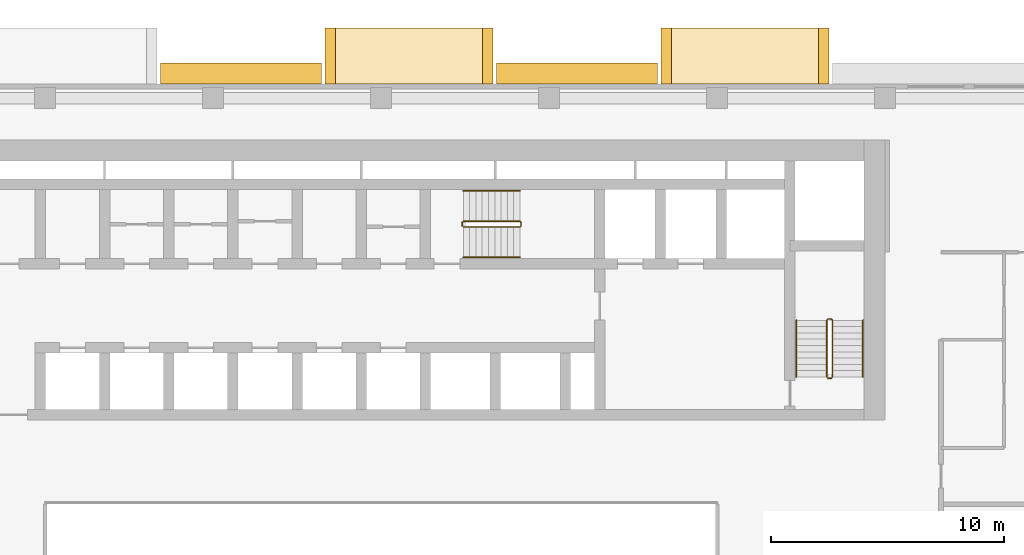
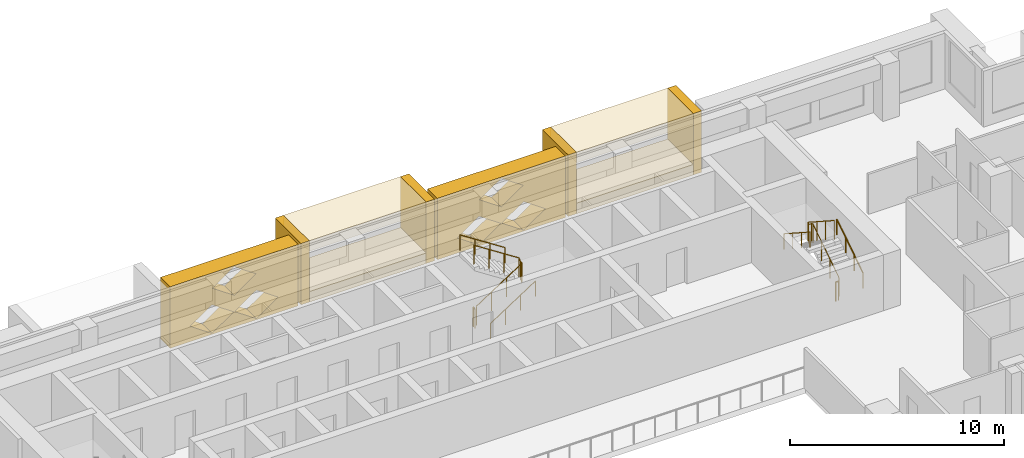
# One storey, part 16 of 17: 10 coverings, 8 railings.
"""IFC4 building model written with IfcOpenShell, lengths in metres."""

from ifc_helpers import new_model, si_unit, direction, frame, origin, origin_2d, place, context, subcontext, project, spatial, polyline, circle, outline, extrude, material, type_object, element, save


model = new_model("IFC4")

# Units and contexts
model_context = context("Model", 3, precision=1e-05, world=origin(), true_north=direction((0.0, 1.0)))
body_context = subcontext(model_context, "Body", "Model", "MODEL_VIEW")
ifc_project = project(units=[si_unit("LENGTHUNIT", "METRE"), si_unit("AREAUNIT", "SQUARE_METRE"), si_unit("VOLUMEUNIT", "CUBIC_METRE"), si_unit("PLANEANGLEUNIT", "RADIAN"), si_unit("MASSUNIT", "GRAM", prefix="KILO")], contexts=[model_context])

# Site, building, storey
site_placement = place(None, origin())
site = spatial("IfcSite", under=ifc_project, at=site_placement, CompositionType="ELEMENT")
building_placement = place(site_placement, origin())
building = spatial("IfcBuilding", under=site, at=building_placement, Name="Saffron Iwan Residences", CompositionType="ELEMENT")
storey_placement = place(building_placement, frame((0.0, 0.0, 100.5)))
storey = spatial("IfcBuildingStorey", under=building, at=storey_placement, Name="L26", CompositionType="ELEMENT", Elevation=100.5)

# Coverings
ifc_material_1 = material(Name="Precast concrete C40/50", Category="concrete")
covering_type_1 = type_object("IfcCoveringType", Name="OUTER SKIN LATTICE SCREEN", PredefinedType="CLADDING", material=ifc_material_1)
for number, where, z_axis, x_axis, name in (
    (1, (62.25, 80.39990234375, -0.320068359375), (0.0, 1.0, 0.0), (-1.0, 0.0, 0.0), "OUTER SKIN lattice screen L26 F5.1"),
    (2, (47.85009765625, 80.39990234375, -0.320068359375), (0.0, 1.0, 0.0), (-1.0, 0.0, 0.0), "OUTER SKIN lattice screen L26 F5.2"),
):
    element("IfcCovering", number, at=place(storey_placement, frame(where, z_axis=z_axis, x_axis=x_axis)), inside=storey, type_object=covering_type_1, Name=name, PredefinedType="CLADDING", context=body_context, shape_type="SweptSolid", body=[
        extrude(outline(polyline([(0.0, 0.0), (6.89990234375, 0.0), (6.89990234375, 3.5), (0.0, 3.5), (0.0, 0.0)]), holes=[polyline([(1.070068359375, 0.875), (2.25, 0.06005859375), (3.429931640625, 0.875), (2.25, 1.68994140625), (1.070068359375, 0.875)]), polyline([(3.469970703125, 0.875), (4.64990234375, 0.06005859375), (5.830078125, 0.875), (4.64990234375, 1.68994140625), (3.469970703125, 0.875)]), polyline([(2.27001953125, 2.625), (3.449951171875, 1.81005859375), (4.6298828125, 2.625), (3.449951171875, 3.43994140625), (2.27001953125, 2.625)])]), origin(), (0.0, 0.0, 1.0), 0.900146484375),
    ])

# Railings
ifc_material_2 = material(Name="Steel S355", Category="steel")
railing_type_1 = type_object("IfcRailingType", Name="Stair guard 1100", PredefinedType="GUARDRAIL", material=ifc_material_2)
railing_1_placement = place(storey_placement, frame((53.925048828125, 74.27490234375, 0.175048828125)))
element("IfcRailing", 3, at=railing_1_placement, inside=storey, type_object=railing_type_1, Name="L26 ST-C stair guard 1", PredefinedType="GUARDRAIL", context=body_context, shape_type="SweptSolid", body=[
    extrude(circle(Radius=0.02392578125, at=origin_2d()), frame((0.0, 0.0, 1.076171875), z_axis=(0.839153699163, 0.0, 0.543894354798), x_axis=(0.0, 1.0, 0.0)), (0.0, 0.0, 1.0), 2.895751953125),
    extrude(circle(Radius=0.02392578125, at=origin_2d()), frame((2.429931640625, 0.0, 2.65087890625), z_axis=(0.707106781187, 0.707106781187, 0.0), x_axis=(-0.707106781187, 0.707106781187, 0.0)), (0.0, 0.0, 1.0), 0.07080078125),
    extrude(circle(Radius=0.02392578125, at=origin_2d()), frame((2.47998046875, 0.050048828125, 2.65087890625), z_axis=(0.0, 1.0, 0.0), x_axis=(-1.0, 0.0, 0.0)), (0.0, 0.0, 1.0), 0.150146484375),
    extrude(circle(Radius=0.02392578125, at=origin_2d()), frame((2.47998046875, 0.2001953125, 2.65087890625), z_axis=(-0.265155923931, 0.263862480399, 0.927399011991), x_axis=(-0.705375805398, -0.708833529934, 0.0)), (0.0, 0.0, 1.0), 0.188720703125),
    extrude(circle(Radius=0.02392578125, at=origin_2d()), frame((2.429931640625, 0.25, 2.826171875), z_axis=(-0.839153699163, 0.0, 0.543894354798), x_axis=(0.0, -1.0, 0.0)), (0.0, 0.0, 1.0), 2.895751953125),
    extrude(circle(Radius=0.02099609375, at=origin_2d()), origin(), (0.0, 0.0, 1.0), 1.052001953125),
    extrude(circle(Radius=0.02099609375, at=origin_2d()), frame((0.81005859375, 0.0, 0.52490234375)), (0.0, 0.0, 1.0), 1.052001953125),
    extrude(circle(Radius=0.02099609375, at=origin_2d()), frame((1.619873046875, 0.0, 1.050048828125)), (0.0, 0.0, 1.0), 1.052001953125),
    extrude(circle(Radius=0.02099609375, at=origin_2d()), frame((2.429931640625, 0.0, 1.574951171875)), (0.0, 0.0, 1.0), 1.052001953125),
    extrude(circle(Radius=0.02099609375, at=origin_2d()), frame((2.47998046875, 0.050048828125, 1.574951171875)), (0.0, 0.0, 1.0), 1.052001953125),
    extrude(circle(Radius=0.02099609375, at=origin_2d()), frame((2.47998046875, 0.2001953125, 1.574951171875)), (0.0, 0.0, 1.0), 1.052001953125),
    extrude(circle(Radius=0.02099609375, at=origin_2d()), frame((2.429931640625, 0.25, 1.75)), (0.0, 0.0, 1.0), 1.052001953125),
    extrude(circle(Radius=0.02099609375, at=origin_2d()), frame((1.619873046875, 0.25, 2.27490234375)), (0.0, 0.0, 1.0), 1.052001953125),
    extrude(circle(Radius=0.02099609375, at=origin_2d()), frame((0.81005859375, 0.25, 2.800048828125)), (0.0, 0.0, 1.0), 1.052001953125),
    extrude(circle(Radius=0.02099609375, at=origin_2d()), frame((0.0, 0.25, 3.324951171875)), (0.0, 0.0, 1.0), 1.052001953125),
])
railing_2_placement = place(storey_placement, frame((53.875, 74.324951171875, 0.0)))
element("IfcRailing", 4, at=railing_2_placement, inside=storey, type_object=railing_type_1, Name="L26 ST-C stair guard 2", PredefinedType="GUARDRAIL", context=body_context, shape_type="SweptSolid", body=[
    extrude(circle(Radius=0.02392578125, at=origin_2d()), frame((0.0, 0.0, 1.076171875), z_axis=(0.0, 1.0, 0.0), x_axis=(-1.0, 0.0, 0.0)), (0.0, 0.0, 1.0), 0.150146484375),
    extrude(circle(Radius=0.02099609375, at=origin_2d()), origin(), (0.0, 0.0, 1.0), 1.052001953125),
    extrude(circle(Radius=0.02099609375, at=origin_2d()), frame((0.0, 0.150146484375, 0.0)), (0.0, 0.0, 1.0), 1.052001953125),
])
railing_3_placement = place(storey_placement, frame((69.75, 67.85009765625, 0.175048828125)))
element("IfcRailing", 5, at=railing_3_placement, inside=storey, type_object=railing_type_1, Name="L26 ST-E stair guard 1", PredefinedType="GUARDRAIL", context=body_context, shape_type="SweptSolid", body=[
    extrude(circle(Radius=0.02392578125, at=origin_2d()), frame((0.0, 0.0, 1.076171875), z_axis=(0.0, 0.839153699163, 0.543894354798), x_axis=(-1.0, 0.0, 0.0)), (0.0, 0.0, 1.0), 2.895751953125),
    extrude(circle(Radius=0.02392578125, at=origin_2d()), frame((0.0, 2.429931640625, 2.65087890625), z_axis=(-0.707106781187, 0.707106781187, 0.0), x_axis=(-0.707106781187, -0.707106781187, 0.0)), (0.0, 0.0, 1.0), 0.07080078125),
    extrude(circle(Radius=0.02392578125, at=origin_2d()), frame((-0.050048828125, 2.47998046875, 2.65087890625), z_axis=(-1.0, 0.0, 0.0), x_axis=(0.0, -1.0, 0.0)), (0.0, 0.0, 1.0), 0.14990234375),
    extrude(circle(Radius=0.02392578125, at=origin_2d()), frame((-0.199951171875, 2.47998046875, 2.65087890625), z_axis=(-0.265065253269, -0.265065253269, 0.927081885822), x_axis=(0.707106781187, -0.707106781187, 0.0)), (0.0, 0.0, 1.0), 0.188720703125),
    extrude(circle(Radius=0.02392578125, at=origin_2d()), frame((-0.25, 2.429931640625, 2.826171875), z_axis=(0.0, -0.839153699163, 0.543894354798), x_axis=(1.0, 0.0, 0.0)), (0.0, 0.0, 1.0), 2.895751953125),
    extrude(circle(Radius=0.02099609375, at=origin_2d()), origin(), (0.0, 0.0, 1.0), 1.052001953125),
    extrude(circle(Radius=0.02099609375, at=origin_2d()), frame((0.0, 0.81005859375, 0.52490234375)), (0.0, 0.0, 1.0), 1.052001953125),
    extrude(circle(Radius=0.02099609375, at=origin_2d()), frame((0.0, 1.619873046875, 1.050048828125)), (0.0, 0.0, 1.0), 1.052001953125),
    extrude(circle(Radius=0.02099609375, at=origin_2d()), frame((0.0, 2.429931640625, 1.574951171875)), (0.0, 0.0, 1.0), 1.052001953125),
    extrude(circle(Radius=0.02099609375, at=origin_2d()), frame((-0.050048828125, 2.47998046875, 1.574951171875)), (0.0, 0.0, 1.0), 1.052001953125),
    extrude(circle(Radius=0.02099609375, at=origin_2d()), frame((-0.199951171875, 2.47998046875, 1.574951171875)), (0.0, 0.0, 1.0), 1.052001953125),
    extrude(circle(Radius=0.02099609375, at=origin_2d()), frame((-0.25, 2.429931640625, 1.75)), (0.0, 0.0, 1.0), 1.052001953125),
    extrude(circle(Radius=0.02099609375, at=origin_2d()), frame((-0.25, 1.619873046875, 2.27490234375)), (0.0, 0.0, 1.0), 1.052001953125),
    extrude(circle(Radius=0.02099609375, at=origin_2d()), frame((-0.25, 0.81005859375, 2.800048828125)), (0.0, 0.0, 1.0), 1.052001953125),
    extrude(circle(Radius=0.02099609375, at=origin_2d()), frame((-0.25, 0.0, 3.324951171875)), (0.0, 0.0, 1.0), 1.052001953125),
])
railing_4_placement = place(storey_placement, frame((69.699951171875, 67.800048828125, 0.0)))
element("IfcRailing", 6, at=railing_4_placement, inside=storey, type_object=railing_type_1, Name="L26 ST-E stair guard 2", PredefinedType="GUARDRAIL", context=body_context, shape_type="SweptSolid", body=[
    extrude(circle(Radius=0.02392578125, at=origin_2d()), frame((0.0, 0.0, 1.076171875), z_axis=(-1.0, 0.0, 0.0), x_axis=(0.0, -1.0, 0.0)), (0.0, 0.0, 1.0), 0.14990234375),
    extrude(circle(Radius=0.02099609375, at=origin_2d()), origin(), (0.0, 0.0, 1.0), 1.052001953125),
    extrude(circle(Radius=0.02099609375, at=origin_2d()), frame((-0.14990234375, 0.0, 0.0)), (0.0, 0.0, 1.0), 1.052001953125),
])
ifc_material_3 = material(Name="Stainless steel 316", Category="steel")
railing_type_2 = type_object("IfcRailingType", Name="Stair handrail 900", PredefinedType="HANDRAIL", material=ifc_material_3)
railing_5_placement = place(storey_placement, frame((53.925048828125, 72.97509765625, 0.175048828125)))
element("IfcRailing", 7, at=railing_5_placement, inside=storey, type_object=railing_type_2, Name="L26 ST-C stair handrail 1", PredefinedType="HANDRAIL", context=body_context, shape_type="SweptSolid", body=[
    extrude(circle(Radius=0.02392578125, at=origin_2d()), frame((0.0, 0.0, 0.8759765625), z_axis=(0.839153699163, 0.0, 0.543894354798), x_axis=(0.0, 1.0, 0.0)), (0.0, 0.0, 1.0), 2.895751953125),
    extrude(circle(Radius=0.02099609375, at=origin_2d()), origin(), (0.0, 0.0, 1.0), 0.851806640625),
    extrude(circle(Radius=0.02099609375, at=origin_2d()), frame((0.81005859375, 0.0, 0.52490234375)), (0.0, 0.0, 1.0), 0.851806640625),
    extrude(circle(Radius=0.02099609375, at=origin_2d()), frame((1.619873046875, 0.0, 1.050048828125)), (0.0, 0.0, 1.0), 0.851806640625),
    extrude(circle(Radius=0.02099609375, at=origin_2d()), frame((2.429931640625, 0.0, 1.574951171875)), (0.0, 0.0, 1.0), 0.851806640625),
])
railing_6_placement = place(storey_placement, frame((56.35498046875, 75.824951171875, 1.925048828125)))
element("IfcRailing", 8, at=railing_6_placement, inside=storey, type_object=railing_type_2, Name="L26 ST-C stair handrail 2", PredefinedType="HANDRAIL", context=body_context, shape_type="SweptSolid", body=[
    extrude(circle(Radius=0.02392578125, at=origin_2d()), frame((0.0, 0.0, 0.8759765625), z_axis=(-0.839153699163, 0.0, 0.543894354798), x_axis=(0.0, -1.0, 0.0)), (0.0, 0.0, 1.0), 2.895751953125),
    extrude(circle(Radius=0.02099609375, at=origin_2d()), origin(), (0.0, 0.0, 1.0), 0.851806640625),
    extrude(circle(Radius=0.02099609375, at=origin_2d()), frame((-0.81005859375, 0.0, 0.52490234375)), (0.0, 0.0, 1.0), 0.851806640625),
    extrude(circle(Radius=0.02099609375, at=origin_2d()), frame((-1.619873046875, 0.0, 1.050048828125)), (0.0, 0.0, 1.0), 0.851806640625),
    extrude(circle(Radius=0.02099609375, at=origin_2d()), frame((-2.429931640625, 0.0, 1.574951171875)), (0.0, 0.0, 1.0), 0.851806640625),
])
railing_7_placement = place(storey_placement, frame((71.050048828125, 67.85009765625, 0.175048828125)))
element("IfcRailing", 9, at=railing_7_placement, inside=storey, type_object=railing_type_2, Name="L26 ST-E stair handrail 1", PredefinedType="HANDRAIL", context=body_context, shape_type="SweptSolid", body=[
    extrude(circle(Radius=0.02392578125, at=origin_2d()), frame((0.0, 0.0, 0.8759765625), z_axis=(0.0, 0.839153699163, 0.543894354798), x_axis=(-1.0, 0.0, 0.0)), (0.0, 0.0, 1.0), 2.895751953125),
    extrude(circle(Radius=0.02099609375, at=origin_2d()), origin(), (0.0, 0.0, 1.0), 0.851806640625),
    extrude(circle(Radius=0.02099609375, at=origin_2d()), frame((0.0, 0.81005859375, 0.52490234375)), (0.0, 0.0, 1.0), 0.851806640625),
    extrude(circle(Radius=0.02099609375, at=origin_2d()), frame((0.0, 1.619873046875, 1.050048828125)), (0.0, 0.0, 1.0), 0.851806640625),
    extrude(circle(Radius=0.02099609375, at=origin_2d()), frame((0.0, 2.429931640625, 1.574951171875)), (0.0, 0.0, 1.0), 0.851806640625),
])
railing_8_placement = place(storey_placement, frame((68.199951171875, 70.280029296875, 1.925048828125)))
element("IfcRailing", 10, at=railing_8_placement, inside=storey, type_object=railing_type_2, Name="L26 ST-E stair handrail 2", PredefinedType="HANDRAIL", context=body_context, shape_type="SweptSolid", body=[
    extrude(circle(Radius=0.02392578125, at=origin_2d()), frame((0.0, 0.0, 0.8759765625), z_axis=(0.0, -0.839153699163, 0.543894354798), x_axis=(1.0, 0.0, 0.0)), (0.0, 0.0, 1.0), 2.895751953125),
    extrude(circle(Radius=0.02099609375, at=origin_2d()), origin(), (0.0, 0.0, 1.0), 0.851806640625),
    extrude(circle(Radius=0.02099609375, at=origin_2d()), frame((0.0, -0.81005859375, 0.52490234375)), (0.0, 0.0, 1.0), 0.851806640625),
    extrude(circle(Radius=0.02099609375, at=origin_2d()), frame((0.0, -1.619873046875, 1.050048828125)), (0.0, 0.0, 1.0), 0.851806640625),
    extrude(circle(Radius=0.02099609375, at=origin_2d()), frame((0.0, -2.429931640625, 1.574951171875)), (0.0, 0.0, 1.0), 0.851806640625),
])

# Coverings
ifc_material_4 = material(Name="Precast concrete C40/50 white painted", Category="concrete")
covering_type_2 = type_object("IfcCoveringType", Name="WHITE SUN FRAME PRECAST", PredefinedType="CLADDING", material=ifc_material_4)
for number, where, z_axis, x_axis, name in (
    (11, (69.60009765625, 80.39990234375, -0.320068359375), (0.0, 1.0, 0.0), (-1.0, 0.0, 0.0), "Sun frame L26 F5 13.2a"),
    (12, (62.85009765625, 80.39990234375, -0.320068359375), (0.0, 1.0, 0.0), (-1.0, 0.0, 0.0), "Sun frame L26 F5 13.2b"),
):
    element("IfcCovering", number, at=place(storey_placement, frame(where, z_axis=z_axis, x_axis=x_axis)), inside=storey, type_object=covering_type_2, Name=name, PredefinedType="CLADDING", context=body_context, shape_type="SweptSolid", body=[
        extrude(outline(polyline([(0.0, 0.0), (0.449951171875, 0.0), (0.449951171875, 3.5), (0.0, 3.5), (0.0, 0.0)])), origin(), (0.0, 0.0, 1.0), 2.400146484375),
    ])
for number, where, z_axis, x_axis, name in (
    (13, (69.14990234375, 80.39990234375, 2.580078125), (0.0, 1.0, 0.0), (-1.0, 0.0, 0.0), "Sun frame L26 F5 13.2h"),
    (14, (69.14990234375, 80.39990234375, -0.320068359375), (0.0, 1.0, 0.0), (-1.0, 0.0, 0.0), "Sun frame L26 F5 13.2s"),
):
    element("IfcCovering", number, at=place(storey_placement, frame(where, z_axis=z_axis, x_axis=x_axis)), inside=storey, type_object=covering_type_2, Name=name, PredefinedType="CLADDING", context=body_context, shape_type="SweptSolid", body=[
        extrude(outline(polyline([(0.0, 0.0), (6.300048828125, 0.0), (6.300048828125, 0.60009765625), (0.0, 0.60009765625), (0.0, 0.0)])), origin(), (0.0, 0.0, 1.0), 2.400146484375),
    ])
for number, where, z_axis, x_axis, name in (
    (15, (55.199951171875, 80.39990234375, -0.320068359375), (0.0, 1.0, 0.0), (-1.0, 0.0, 0.0), "Sun frame L26 F5 27.6a"),
    (16, (48.449951171875, 80.39990234375, -0.320068359375), (0.0, 1.0, 0.0), (-1.0, 0.0, 0.0), "Sun frame L26 F5 27.6b"),
):
    element("IfcCovering", number, at=place(storey_placement, frame(where, z_axis=z_axis, x_axis=x_axis)), inside=storey, type_object=covering_type_2, Name=name, PredefinedType="CLADDING", context=body_context, shape_type="SweptSolid", body=[
        extrude(outline(polyline([(0.0, 0.0), (0.449951171875, 0.0), (0.449951171875, 3.5), (0.0, 3.5), (0.0, 0.0)])), origin(), (0.0, 0.0, 1.0), 2.400146484375),
    ])
for number, where, z_axis, x_axis, name in (
    (17, (54.75, 80.39990234375, 2.580078125), (0.0, 1.0, 0.0), (-1.0, 0.0, 0.0), "Sun frame L26 F5 27.6h"),
    (18, (54.75, 80.39990234375, -0.320068359375), (0.0, 1.0, 0.0), (-1.0, 0.0, 0.0), "Sun frame L26 F5 27.6s"),
):
    element("IfcCovering", number, at=place(storey_placement, frame(where, z_axis=z_axis, x_axis=x_axis)), inside=storey, type_object=covering_type_2, Name=name, PredefinedType="CLADDING", context=body_context, shape_type="SweptSolid", body=[
        extrude(outline(polyline([(0.0, 0.0), (6.300048828125, 0.0), (6.300048828125, 0.60009765625), (0.0, 0.60009765625), (0.0, 0.0)])), origin(), (0.0, 0.0, 1.0), 2.400146484375),
    ])

save(model, "model.ifc")
